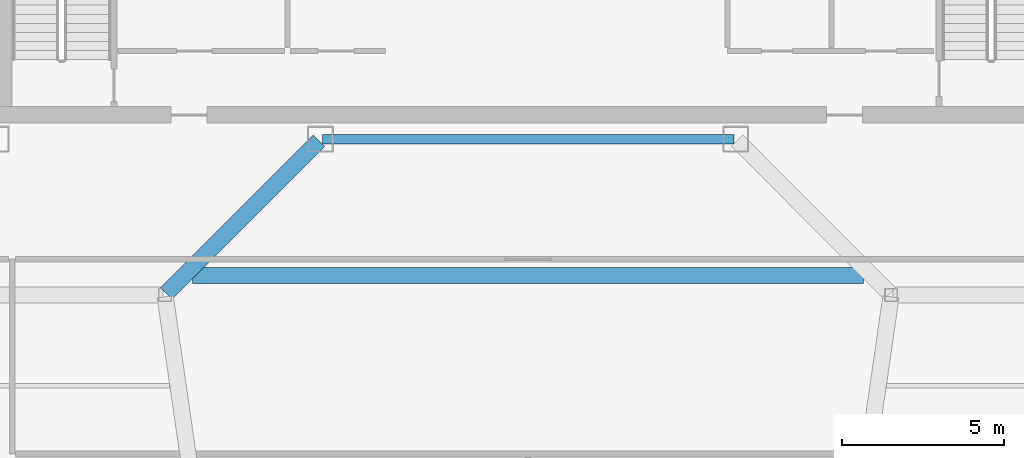
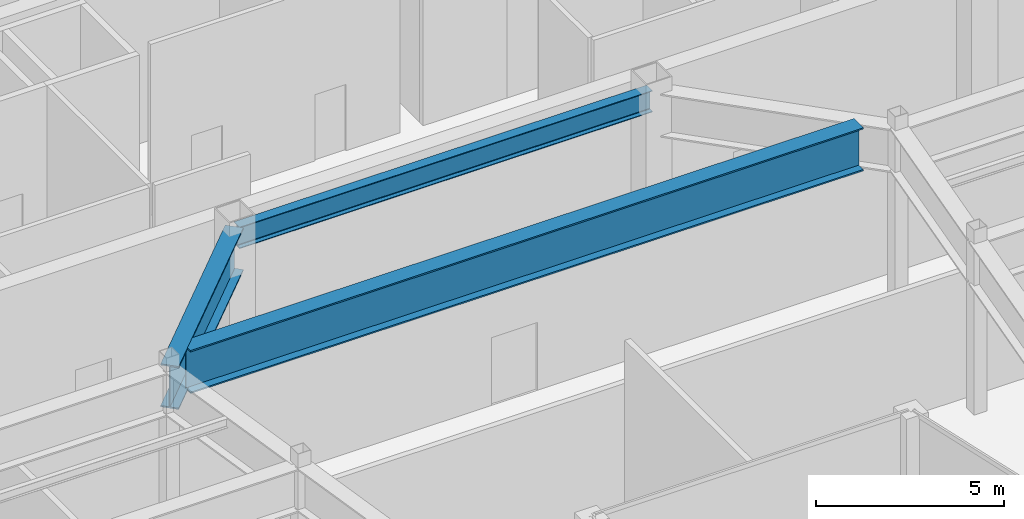
# One storey, part 13 of 34: 3 beams.
"""IFC4 building model written with IfcOpenShell, lengths in metres."""

from ifc_helpers import new_model, si_unit, direction, frame, origin, origin_2d, place, context, subcontext, project, spatial, i_section, extrude, material, material_profile, profile_set, type_object, element, save


model = new_model("IFC4")

# Units and contexts
model_context = context("Model", 3, precision=1e-05, world=origin(), true_north=direction((0.0, 1.0)))
body_context = subcontext(model_context, "Body", "Model", "MODEL_VIEW")
ifc_project = project(units=[si_unit("LENGTHUNIT", "METRE"), si_unit("AREAUNIT", "SQUARE_METRE"), si_unit("VOLUMEUNIT", "CUBIC_METRE"), si_unit("PLANEANGLEUNIT", "RADIAN"), si_unit("MASSUNIT", "GRAM", prefix="KILO")], contexts=[model_context])

# Site, building, storey
site_placement = place(None, origin())
site = spatial("IfcSite", under=ifc_project, at=site_placement, CompositionType="ELEMENT")
building_placement = place(site_placement, origin())
building = spatial("IfcBuilding", under=site, at=building_placement, Name="Saevonmaru Cultural Tower", CompositionType="ELEMENT")
storey_placement = place(building_placement, frame((0.0, 0.0, 224.60009765625)))
storey = spatial("IfcBuildingStorey", under=building, at=storey_placement, Name="L52", CompositionType="ELEMENT", Elevation=224.60009765625)

# Beams
ifc_material_1 = material(Name="Steel SM355", Category="steel")
ifc_material_profile_1 = material_profile(ifc_material_1, i_section(OverallWidth=0.300048828125, OverallDepth=0.699951171875, WebThickness=0.012939453125, FlangeThickness=0.02392578125, FilletRadius=0.02587890625, at=origin_2d()), Name="H-700x300x13x24")
ifc_profile_set_1 = profile_set([ifc_material_profile_1], Name="Steel SM355")
beam_type_1 = type_object("IfcBeamType", Name="BM-G-H700", PredefinedType="BEAM", material=ifc_profile_set_1)
beam_1_placement = place(storey_placement, frame((23.659912109375, 42.39990234375, 5.199951171875), z_axis=(1.0, 0.0, 0.0), x_axis=(0.0, 1.0, 0.0)))
element("IfcBeam", 1, at=beam_1_placement, inside=storey, type_object=beam_type_1, Name="L52 Core South Girder 3", PredefinedType="BEAM", context=body_context, shape_type="SweptSolid", body=[
    extrude(i_section(OverallWidth=0.300048828125, OverallDepth=0.699951171875, WebThickness=0.012939453125, FlangeThickness=0.02392578125, FilletRadius=0.02587890625, at=origin_2d()), origin(), (0.0, 0.0, 1.0), 12.68017578125),
])
ifc_material_2 = material(Name="Steel HSA600 (600 MPa)", Category="steel")
ifc_material_profile_2 = material_profile(ifc_material_2, i_section(OverallWidth=0.5, OverallDepth=1.39990234375, WebThickness=0.02392578125, FlangeThickness=0.044921875, at=origin_2d()), Name="PG-1400x500x24x45")
ifc_profile_set_2 = profile_set([ifc_material_profile_2], Name="Steel HSA600 (600 MPa)")
beam_type_2 = type_object("IfcBeamType", Name="BM-TG-PG1400", PredefinedType="BEAM", material=ifc_profile_set_2)
beam_2_placement = place(storey_placement, frame((18.850341796875, 37.642578125, 4.849853515625), z_axis=(0.706538566564, 0.707674539572, 0.0), x_axis=(-0.707674539572, 0.706538566564, 0.0)))
element("IfcBeam", 2, at=beam_2_placement, inside=storey, type_object=beam_type_2, Name="L52 West Atrium Girder 4", PredefinedType="BEAM", context=body_context, shape_type="SweptSolid", body=[
    extrude(i_section(OverallWidth=0.5, OverallDepth=1.39990234375, WebThickness=0.02392578125, FlangeThickness=0.044921875, at=origin_2d()), origin(), (0.0, 0.0, 1.0), 6.662353515625),
])
beam_3_placement = place(storey_placement, frame((19.6650390625, 38.199951171875, 4.849853515625), z_axis=(1.0, 0.0, 0.0), x_axis=(0.0, 1.0, 0.0)))
element("IfcBeam", 3, at=beam_3_placement, inside=storey, type_object=beam_type_2, Name="L52 Central Link Girder", PredefinedType="BEAM", context=body_context, shape_type="SweptSolid", body=[
    extrude(i_section(OverallWidth=0.5, OverallDepth=1.39990234375, WebThickness=0.02392578125, FlangeThickness=0.044921875, at=origin_2d()), origin(), (0.0, 0.0, 1.0), 20.669921875),
])

save(model, "model.ifc")
